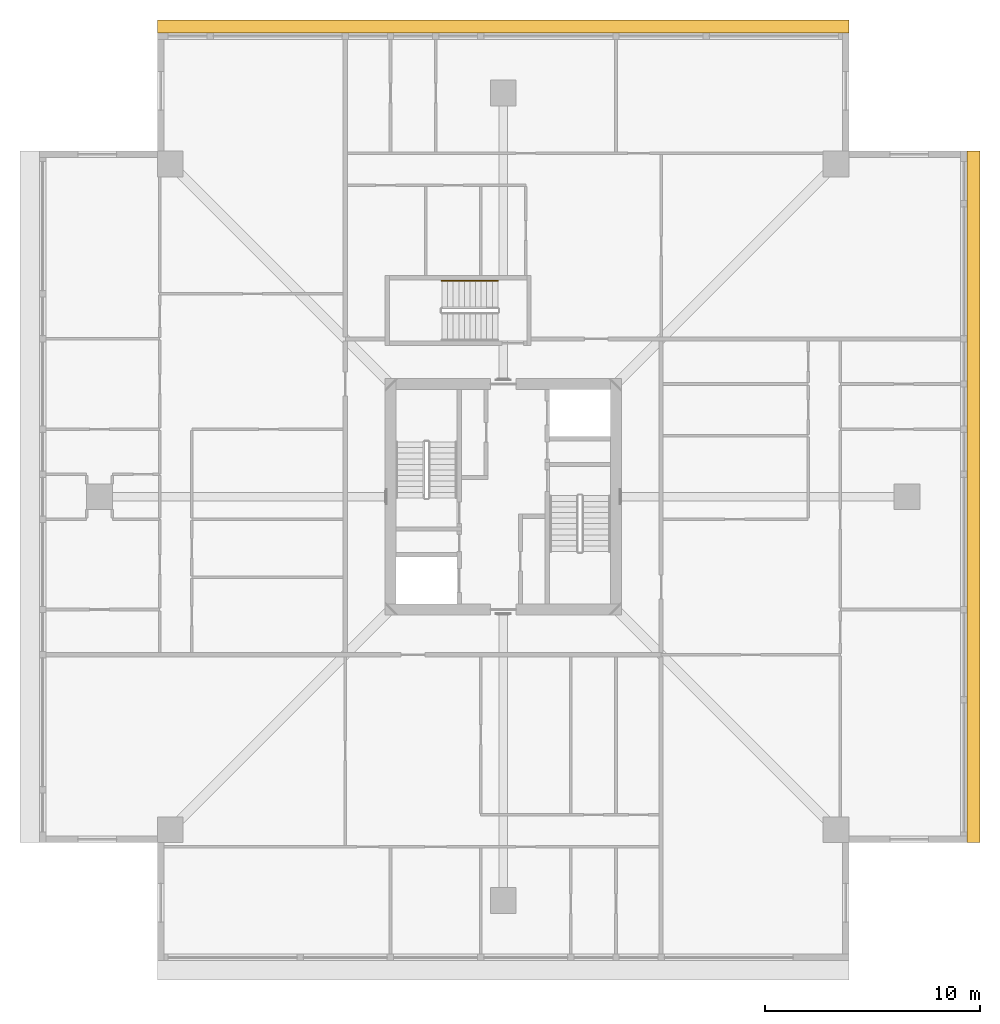
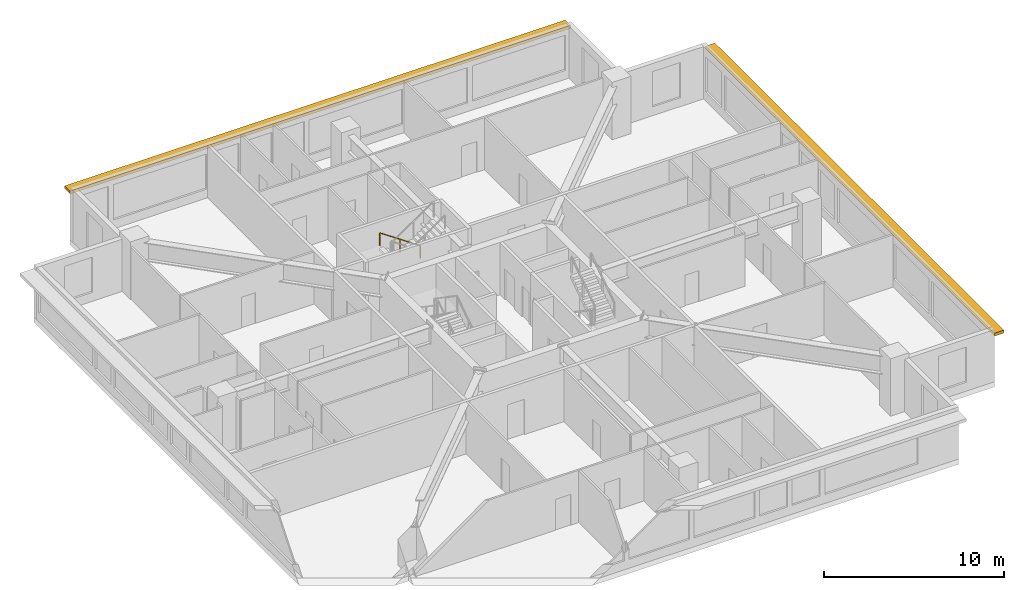
# One storey, part 12 of 12: 2 shading devices, 1 railing.
"""IFC4 building model written with IfcOpenShell, lengths in metres."""

from ifc_helpers import new_model, si_unit, direction, frame, origin, origin_2d, place, context, subcontext, project, spatial, polyline, rectangle, outline, extrude, material, layer, layer_set, type_object, element, save


model = new_model("IFC4")

# Units and contexts
model_context = context("Model", 3, precision=1e-05, world=origin(), true_north=direction((0.0, 1.0)))
body_context = subcontext(model_context, "Body", "Model", "MODEL_VIEW")
ifc_project = project(units=[si_unit("LENGTHUNIT", "METRE"), si_unit("AREAUNIT", "SQUARE_METRE"), si_unit("VOLUMEUNIT", "CUBIC_METRE"), si_unit("PLANEANGLEUNIT", "RADIAN"), si_unit("MASSUNIT", "GRAM", prefix="KILO")], contexts=[model_context])

# Site, building, storey
site_placement = place(None, origin())
site = spatial("IfcSite", under=ifc_project, at=site_placement, CompositionType="ELEMENT")
building_placement = place(site_placement, origin())
building = spatial("IfcBuilding", under=site, at=building_placement, Name="Khepri Terraces", CompositionType="ELEMENT")
storey_placement = place(building_placement, frame((0.0, 0.0, 296.699951171875)))
storey = spatial("IfcBuildingStorey", under=building, at=storey_placement, Name="L71", CompositionType="ELEMENT", Elevation=296.699951171875)

# Railing
ifc_material_1 = material(Name="Stainless steel 316", Category="steel")
railing_type = type_object("IfcRailingType", Name="RL-CORE-HANDRAIL", PredefinedType="HANDRAIL", material=ifc_material_1)
railing_placement = place(storey_placement, frame((-0.25, 10.050048828125, 0.17724609375)))
element("IfcRailing", 1, at=railing_placement, inside=storey, type_object=railing_type, Name="L71 ST-3 stair handrail 1", PredefinedType="HANDRAIL", context=body_context, shape_type="SweptSolid", body=[
    extrude(rectangle(XDim=0.050048828125, YDim=0.050048828125, at=origin_2d()), frame((0.0, 0.0, 0.875), z_axis=(-0.826240473404, 0.0, 0.563317565952), x_axis=(0.0, -1.0, 0.0)), (0.0, 0.0, 1.0), 3.14697265625),
    extrude(rectangle(XDim=0.050048828125, YDim=0.050048828125, at=origin_2d()), origin(), (0.0, 0.0, 1.0), 0.849853515625),
    extrude(rectangle(XDim=0.050048828125, YDim=0.050048828125, at=origin_2d()), frame((-1.300048828125, 0.0, 0.88623046875)), (0.0, 0.0, 1.0), 0.849853515625),
    extrude(rectangle(XDim=0.050048828125, YDim=0.050048828125, at=origin_2d()), frame((-2.60009765625, 0.0, 1.772705078125)), (0.0, 0.0, 1.0), 0.849853515625),
])

# Shading devices
ifc_material_2 = material(Name="Precast concrete C50/60 warm stone", Category="masonry")
ifc_layer = layer(ifc_material_2, 0.199951171875, Name="Precast concrete C50/60 warm stone", Category="masonry")
ifc_layer_set = layer_set([ifc_layer], Name="Precast concrete C50/60 warm stone")
shading_device_type = type_object("IfcShadingDeviceType", Name="SSH-BAND-STONE-200-N", PredefinedType="USERDEFINED", material=ifc_layer_set)
shading_device_1_placement = place(storey_placement, frame((0.0, 0.0, 3.10009765625)))
element("IfcShadingDevice", 2, at=shading_device_1_placement, inside=storey, type_object=shading_device_type, Name="Sunshade band L71 E", ObjectType="SUNSHADE", PredefinedType="USERDEFINED", context=body_context, shape_type="SweptSolid", body=[
    extrude(outline(polyline([(21.60009765625, 16.10009765625), (21.60009765625, -16.10009765625), (22.199951171875, -16.10009765625), (22.199951171875, 16.10009765625), (21.60009765625, 16.10009765625)])), origin(), (0.0, 0.0, 1.0), 0.199951171875),
])
shading_device_2_placement = place(storey_placement, frame((0.0, 0.0, 3.10009765625)))
element("IfcShadingDevice", 3, at=shading_device_2_placement, inside=storey, type_object=shading_device_type, Name="Sunshade band L71 N", ObjectType="SUNSHADE", PredefinedType="USERDEFINED", context=body_context, shape_type="SweptSolid", body=[
    extrude(outline(polyline([(-16.10009765625, 21.60009765625), (16.10009765625, 21.60009765625), (16.10009765625, 22.199951171875), (-16.10009765625, 22.199951171875), (-16.10009765625, 21.60009765625)])), origin(), (0.0, 0.0, 1.0), 0.199951171875),
])

save(model, "model.ifc")
